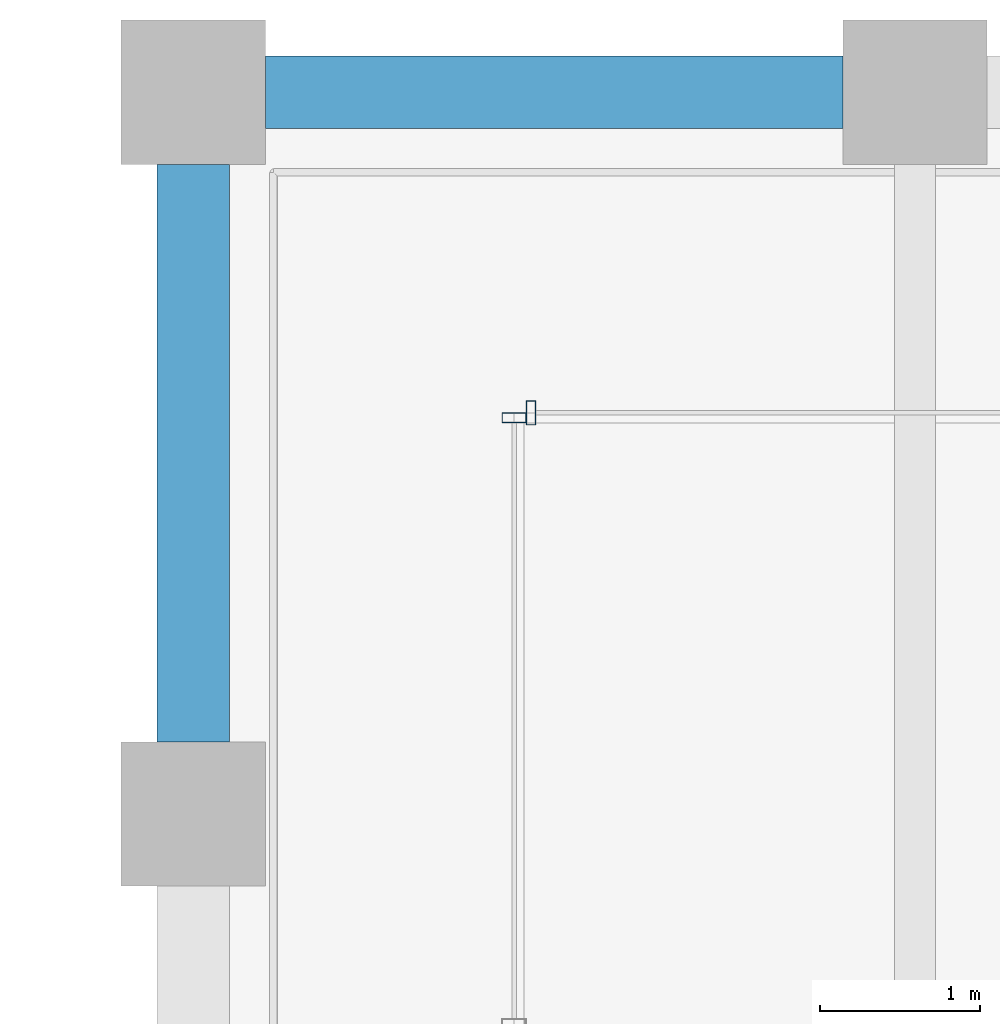
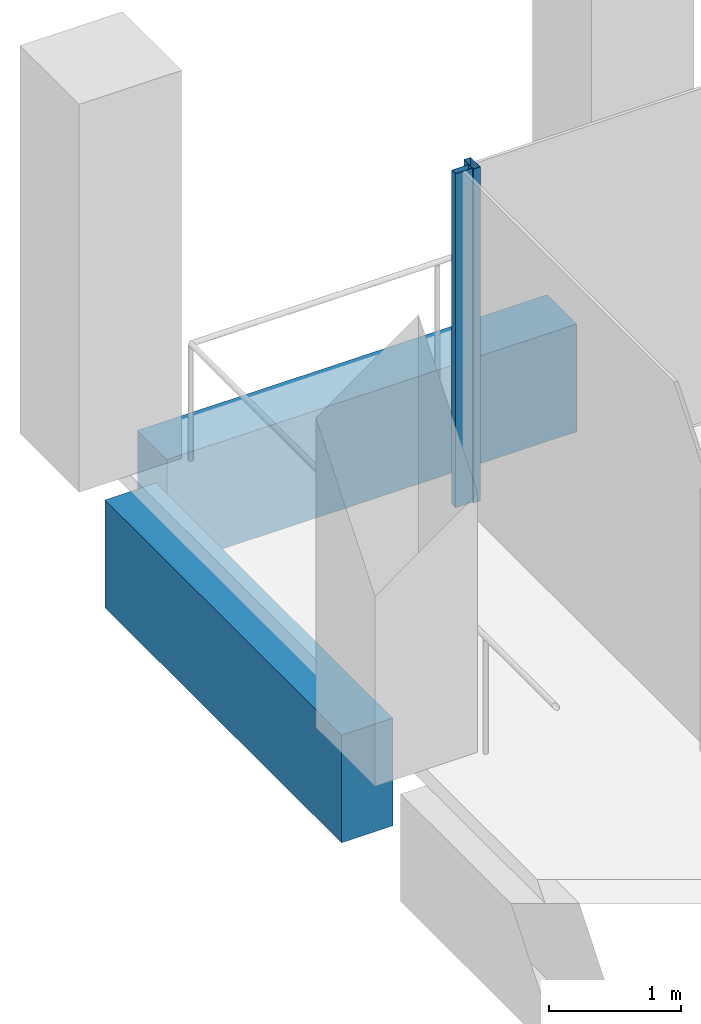
# One storey, part 21 of 40: 2 beams, 2 members, 2 elements without a shape of their own.
"""IFC4 building model written with IfcOpenShell, lengths in metres."""

import ifcopenshell
import ifcopenshell.guid

model = None  # the IFC model being written
_history = None  # IfcOwnerHistory: only IFC2X3 demands one
_inside = {}  # id of a spatial element -> (the spatial element, [elements in it])
_under = {}  # id of a project, library or spatial element -> (it, [spatial elements below it])
_declared = {}  # id of a project -> (the project, [libraries it declares])
_typed = {}  # id of a type object -> (the type object, [elements of that type])
_made_of = {}  # id of a material, layer set ... -> (it, [elements and type objects made of it])


def new_model(schema):
    """Start an empty IFC model of exactly this schema.

    Asked for "IFC4X3", IfcOpenShell would pick the latest addendum, in which some entities
    have other attributes; the version numbers below select the first issue.
    IFC2X3 requires an IfcOwnerHistory on every rooted entity: one is made here for all.
    """
    global model, _history
    if schema == "IFC4X3":
        model = ifcopenshell.file(schema_version=(4, 3, 0, 0))
    else:
        model = ifcopenshell.file(schema=schema)
    _inside.clear()
    _under.clear()
    _declared.clear()
    _typed.clear()
    _made_of.clear()
    _history = None
    if model.schema == "IFC2X3":
        org = make("IfcOrganization", Name="unknown")
        user = make(
            "IfcPersonAndOrganization",
            ThePerson=make("IfcPerson", FamilyName="unknown"),
            TheOrganization=org,
        )
        app = make(
            "IfcApplication",
            ApplicationDeveloper=org,
            Version="unknown",
            ApplicationFullName="unknown",
            ApplicationIdentifier="unknown",
        )
        _history = make(
            "IfcOwnerHistory",
            OwningUser=user,
            OwningApplication=app,
            ChangeAction="ADDED",
            CreationDate=0,
        )
    return model


def make(cls, **values):
    """One entity of the class cls with the attributes given. An attribute that is None is left unset."""
    return model.create_entity(
        cls, **{name: value for name, value in values.items() if value is not None}
    )


def rooted(cls, **values):
    """An entity with a GlobalId (a new one), such as an element, a storey or a relation."""
    return make(cls, GlobalId=ifcopenshell.guid.new(), OwnerHistory=_history, **values)


def si_unit(unit_type, name, prefix=None):
    """IfcSIUnit, for example si_unit("LENGTHUNIT", "METRE", prefix="MILLI")."""
    return make("IfcSIUnit", UnitType=unit_type, Prefix=prefix, Name=name)


def assignment(units):
    """IfcUnitAssignment: the units of a project."""
    return None if units is None else make("IfcUnitAssignment", Units=units)


def point(xyz):
    """IfcCartesianPoint."""
    return None if xyz is None else make("IfcCartesianPoint", Coordinates=xyz)


def direction(xyz):
    """IfcDirection."""
    return None if xyz is None else make("IfcDirection", DirectionRatios=xyz)


def frame(location, z_axis=None, x_axis=None):
    """IfcAxis2Placement3D, a coordinate frame: its origin and axes. An axis left out is left unset."""
    return make(
        "IfcAxis2Placement3D",
        Location=point(location),
        Axis=direction(z_axis),
        RefDirection=direction(x_axis),
    )


def frame_2d(location, x_axis=None):
    """IfcAxis2Placement2D, a coordinate frame in the plane: its origin and x axis."""
    return make(
        "IfcAxis2Placement2D", Location=point(location), RefDirection=direction(x_axis)
    )


def origin():
    """The frame at (0, 0, 0) with its axes left unset."""
    return frame((0.0, 0.0, 0.0))


def origin_2d():
    """The frame at (0, 0) in the plane with its x axis left unset."""
    return frame_2d((0.0, 0.0))


def place(relative_to, where):
    """IfcLocalPlacement: puts the frame where relative to a parent placement (None: the world)."""
    return make(
        "IfcLocalPlacement", PlacementRelTo=relative_to, RelativePlacement=where
    )


def context(
    kind, dimensions, precision=None, world=None, true_north=None, identifier=None
):
    """IfcGeometricRepresentationContext, for example the 3D "Model" context."""
    return make(
        "IfcGeometricRepresentationContext",
        ContextIdentifier=identifier,
        ContextType=kind,
        CoordinateSpaceDimension=dimensions,
        Precision=precision,
        WorldCoordinateSystem=world,
        TrueNorth=true_north,
    )


def subcontext(parent, identifier, kind, view, scale=None):
    """IfcGeometricRepresentationSubContext, for example "Body" below "Model"."""
    return make(
        "IfcGeometricRepresentationSubContext",
        ContextIdentifier=identifier,
        ContextType=kind,
        ParentContext=parent,
        TargetScale=scale,
        TargetView=view,
    )


def project(units=None, contexts=None):
    """IfcProject with its units and contexts."""
    return rooted(
        "IfcProject",
        Name="project",
        RepresentationContexts=contexts,
        UnitsInContext=assignment(units),
    )


def spatial(cls, under=None, at=None, **own):
    """A site, building, storey or space (cls), placed at a placement, below another one or the project."""
    s = rooted(cls, ObjectPlacement=at, **own)
    if under is not None:
        _under.setdefault(under.id(), (under, []))[1].append(s)
    return s


def profile(cls, at=None, kind="AREA", **sizes):
    """A parametric profile (cls). Its sizes go by their IFC names, for example OverallWidth=200.0."""
    return make(cls, ProfileType=kind, Position=at, **sizes)


def rectangle(**sizes):
    """IfcRectangleProfileDef."""
    return profile("IfcRectangleProfileDef", **sizes)


def hollow_rectangle(**sizes):
    """IfcRectangleHollowProfileDef."""
    return profile("IfcRectangleHollowProfileDef", **sizes)


def extrude(swept, where, along, depth):
    """IfcExtrudedAreaSolid: the profile swept, set in the frame where, extruded along a direction by depth."""
    return make(
        "IfcExtrudedAreaSolid",
        SweptArea=swept,
        Position=where,
        ExtrudedDirection=direction(along),
        Depth=depth,
    )


def shape(context_of_items, identifier, shape_type, items):
    """IfcShapeRepresentation: the items that make up one representation, for example the "Body"."""
    return make(
        "IfcShapeRepresentation",
        ContextOfItems=context_of_items,
        RepresentationIdentifier=identifier,
        RepresentationType=shape_type,
        Items=items,
    )


def material(Name=None, Category=None):
    """IfcMaterial."""
    return make("IfcMaterial", Name=Name, Category=Category)


def material_profile(
    of_material, cross_section, Name=None, Category=None, Priority=None
):
    """IfcMaterialProfile: a cross section and its material."""
    return make(
        "IfcMaterialProfile",
        Name=Name,
        Material=of_material,
        Profile=cross_section,
        Priority=Priority,
        Category=Category,
    )


def profile_set(profiles, Name=None, composite=None):
    """IfcMaterialProfileSet."""
    return make(
        "IfcMaterialProfileSet",
        Name=Name,
        MaterialProfiles=profiles,
        CompositeProfile=composite,
    )


def made_of(thing, what):
    """Note that an element or type object is made of a material, layer set ...; save() writes the relation."""
    if what is not None:
        _made_of.setdefault(what.id(), (what, []))[1].append(thing)
    return thing


def type_object(cls, material=None, **own):
    """A type object (cls), such as IfcWallType, which elements share."""
    return made_of(rooted(cls, **own), material)


def element(
    cls,
    number,
    at=None,
    inside=None,
    cuts=None,
    type_object=None,
    material=None,
    context=None,
    identifier="Body",
    shape_type=None,
    held_by="IfcProductDefinitionShape",
    body=None,
    shapes=None,
    **own,
):
    """One element of the class cls, such as IfcWall. Its Tag is "e" and its number.

    at: its placement. inside: the storey or other place that contains it. cuts: it is an
    opening in that element (IfcRelVoidsElement). A single representation is given by context,
    identifier, shape_type and body (its items); several are given by shapes. held_by: the class
    of the entity that holds the representations. save() writes the other relations.
    """
    e = rooted(cls, Tag="e%d" % number, ObjectPlacement=at, **own)
    if body is not None:
        shapes = [shape(context, identifier, shape_type, body)]
    if shapes is not None:
        e.Representation = make(held_by, Representations=shapes)
    if inside is not None:
        _inside.setdefault(inside.id(), (inside, []))[1].append(e)
    if cuts is not None:
        rooted(
            "IfcRelVoidsElement", RelatingBuildingElement=cuts, RelatedOpeningElement=e
        )
    if type_object is not None:
        _typed.setdefault(type_object.id(), (type_object, []))[1].append(e)
    return made_of(e, material)


def aggregate(whole, parts):
    """IfcRelAggregates: a whole, such as a stair, and the parts it consists of."""
    return rooted("IfcRelAggregates", RelatingObject=whole, RelatedObjects=parts)


def save(model, path):
    """Write the relations noted so far, then the file.

    IfcRelAggregates (storeys below a building ...), IfcRelContainedInSpatialStructure (elements
    in a storey), IfcRelDefinesByType, IfcRelAssociatesMaterial and IfcRelDeclares: one each for
    every whole, place, type object, material and project.
    """
    for whole, parts in _under.values():
        aggregate(whole, parts)
    for where, things in _inside.values():
        rooted(
            "IfcRelContainedInSpatialStructure",
            RelatedElements=things,
            RelatingStructure=where,
        )
    for kind, things in _typed.values():
        rooted("IfcRelDefinesByType", RelatedObjects=things, RelatingType=kind)
    for what, things in _made_of.values():
        rooted("IfcRelAssociatesMaterial", RelatedObjects=things, RelatingMaterial=what)
    for by, libraries in _declared.values():
        rooted("IfcRelDeclares", RelatingContext=by, RelatedDefinitions=libraries)
    model.write(path)


model = new_model("IFC4")

# Units and contexts
model_context = context("Model", 3, precision=1e-05, world=origin(), true_north=direction((0.0, 1.0)))
body_context = subcontext(model_context, "Body", "Model", "MODEL_VIEW")
ifc_project = project(units=[si_unit("LENGTHUNIT", "METRE"), si_unit("AREAUNIT", "SQUARE_METRE"), si_unit("VOLUMEUNIT", "CUBIC_METRE"), si_unit("PLANEANGLEUNIT", "RADIAN"), si_unit("MASSUNIT", "GRAM", prefix="KILO")], contexts=[model_context])

# Site, building, storey
site_placement = place(None, origin())
site = spatial("IfcSite", under=ifc_project, at=site_placement, CompositionType="ELEMENT")
building_placement = place(site_placement, origin())
building = spatial("IfcBuilding", under=site, at=building_placement, Name="Altepetl Exchange Towers", CompositionType="ELEMENT")
storey_placement = place(building_placement, frame((0.0, 0.0, 165.39990234375)))
storey = spatial("IfcBuildingStorey", under=building, at=storey_placement, Name="L41", CompositionType="ELEMENT", Elevation=165.39990234375)

# Curtain wall, member
ifc_material_1 = material(Name="Aluminium 6063-T6 glazing", Category="aluminium")
curtain_wall_type = type_object("IfcCurtainWallType", Name="Loggia glazing system", PredefinedType="NOTDEFINED", material=ifc_material_1)
curtain_wall_1_placement = place(storey_placement, origin())
curtain_wall_1 = element("IfcCurtainWall", 1, at=curtain_wall_1_placement, inside=storey, type_object=curtain_wall_type, Name="CW1 run", PredefinedType="NOTDEFINED")
ifc_material_2 = material(Name="Aluminium 6063-T6", Category="aluminium")
ifc_material_profile_1 = material_profile(ifc_material_2, hollow_rectangle(XDim=0.06005859375, YDim=0.14990234375, WallThickness=0.0029296875, at=origin_2d()), Name="Mullion 60x150 aluminium")
ifc_profile_set_1 = profile_set([ifc_material_profile_1], Name="Aluminium 6063-T6")
member_type = type_object("IfcMemberType", Name="Mullion 60x150 aluminium", PredefinedType="MULLION", material=ifc_profile_set_1)
member_1_placement = place(storey_placement, frame((42.60498046875, 70.0, 0.0), z_axis=(0.0, 0.0, 1.0), x_axis=(-1.0, 0.0, 0.0)))
member_1 = element("IfcMember", 2, at=member_1_placement, type_object=member_type, Name="MU1 mullion", PredefinedType="MULLION", context=body_context, shape_type="SweptSolid", body=[
    extrude(hollow_rectangle(XDim=0.06005859375, YDim=0.14990234375, WallThickness=0.0029296875, at=origin_2d()), origin(), (0.0, 0.0, 1.0), 3.10009765625),
])
aggregate(curtain_wall_1, [member_1])

curtain_wall_2_placement = place(storey_placement, origin())
curtain_wall_2 = element("IfcCurtainWall", 3, at=curtain_wall_2_placement, inside=storey, type_object=curtain_wall_type, Name="CW1 run", PredefinedType="NOTDEFINED")
member_2_placement = place(storey_placement, frame((42.5, 69.969970703125, 0.0), z_axis=(0.0, 0.0, 1.0), x_axis=(0.0, -1.0, 0.0)))
member_2 = element("IfcMember", 4, at=member_2_placement, type_object=member_type, Name="MU1 mullion", PredefinedType="MULLION", context=body_context, shape_type="SweptSolid", body=[
    extrude(hollow_rectangle(XDim=0.06005859375, YDim=0.14990234375, WallThickness=0.0029296875, at=origin_2d()), origin(), (0.0, 0.0, 1.0), 3.10009765625),
])
aggregate(curtain_wall_2, [member_2])

# Beams
ifc_material_3 = material(Name="Concrete C50/60 precast with cantera rosa facing", Category="concrete")
ifc_material_profile_2 = material_profile(ifc_material_3, rectangle(XDim=0.449951171875, YDim=1.0, at=origin_2d()), Name="450 x 1000")
ifc_profile_set_2 = profile_set([ifc_material_profile_2], Name="Concrete C50/60 precast with cantera rosa facing")
beam_type_1 = type_object("IfcBeamType", Name="Spandrel beam 450x1000 cantera rosa", PredefinedType="SPANDREL", material=ifc_profile_set_2)
beam_1_placement = place(storey_placement, frame((44.550048828125, 72.0, -0.64990234375), z_axis=(-1.0, 0.0, 0.0), x_axis=(0.0, -1.0, 0.0)))
element("IfcBeam", 5, at=beam_1_placement, inside=storey, type_object=beam_type_1, Name="sp:A:L41:029", PredefinedType="SPANDREL", context=body_context, shape_type="SweptSolid", body=[
    extrude(rectangle(XDim=0.449951171875, YDim=1.0, at=origin_2d()), origin(), (0.0, 0.0, 1.0), 3.60009765625),
])
ifc_material_4 = material(Name="Concrete C50/60 precast with tezontle facing", Category="concrete")
ifc_material_profile_3 = material_profile(ifc_material_4, rectangle(XDim=0.449951171875, YDim=1.0, at=origin_2d()), Name="450 x 1000")
ifc_profile_set_3 = profile_set([ifc_material_profile_3], Name="Concrete C50/60 precast with tezontle facing")
beam_type_2 = type_object("IfcBeamType", Name="Spandrel beam 450x1000 tezontle", PredefinedType="SPANDREL", material=ifc_profile_set_3)
beam_2_placement = place(storey_placement, frame((40.5, 71.550048828125, -0.64990234375), z_axis=(0.0, -1.0, 0.0), x_axis=(1.0, 0.0, 0.0)))
element("IfcBeam", 6, at=beam_2_placement, inside=storey, type_object=beam_type_2, Name="sp:A:L41:030", PredefinedType="SPANDREL", context=body_context, shape_type="SweptSolid", body=[
    extrude(rectangle(XDim=0.449951171875, YDim=1.0, at=origin_2d()), origin(), (0.0, 0.0, 1.0), 3.60009765625),
])

save(model, "model.ifc")
